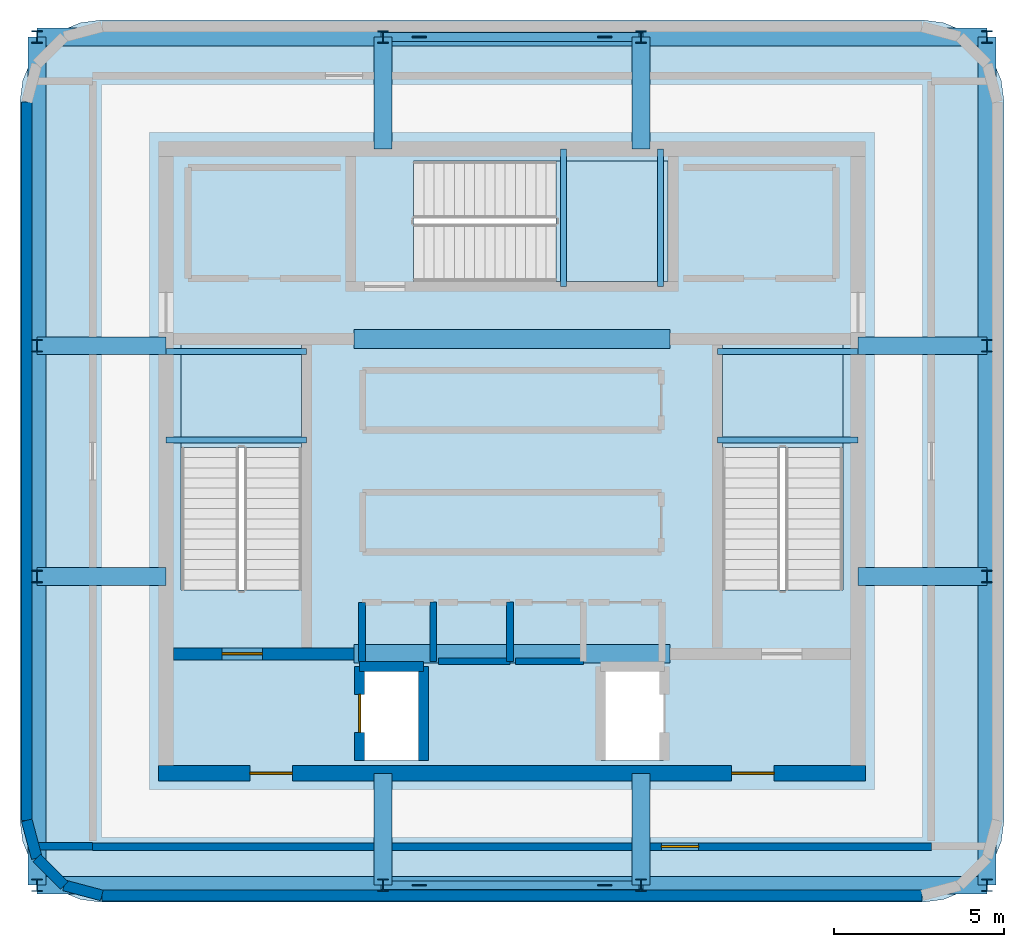
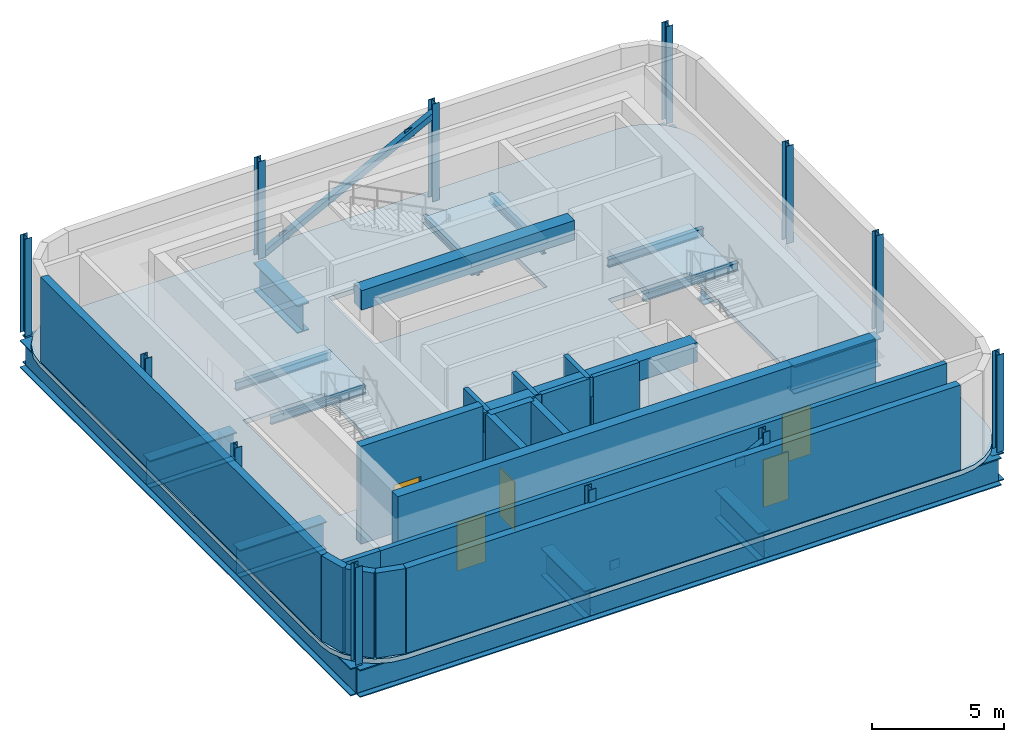
# One storey, part 1 of 4: 20 beams, 17 walls, 12 columns, 5 doors, 4 plates, 4 slabs, 2 members, 5 openings, 3 elements without a shape of their own.
"""IFC4 building model written with IfcOpenShell, lengths in metres."""

from ifc_helpers import new_model, si_unit, direction, frame, frame_2d, origin, origin_2d, place, context, subcontext, project, spatial, polyline, rectangle, hollow_rectangle, i_section, outline, extrude, material, layer, layer_set, material_profile, profile_set, type_object, element, fill, aggregate, save


model = new_model("IFC4")

# Units and contexts
model_context = context("Model", 3, precision=1e-05, world=origin(), true_north=direction((0.0, 1.0)))
body_context = subcontext(model_context, "Body", "Model", "MODEL_VIEW")
ifc_project = project(units=[si_unit("LENGTHUNIT", "METRE"), si_unit("AREAUNIT", "SQUARE_METRE"), si_unit("VOLUMEUNIT", "CUBIC_METRE"), si_unit("PLANEANGLEUNIT", "RADIAN"), si_unit("MASSUNIT", "GRAM", prefix="KILO")], contexts=[model_context])

# Site, building, storey
site_placement = place(None, origin())
site = spatial("IfcSite", under=ifc_project, at=site_placement, CompositionType="ELEMENT")
building_placement = place(site_placement, origin())
building = spatial("IfcBuilding", under=site, at=building_placement, Name="Punatoya Terracotta Tower", CompositionType="ELEMENT")
storey_placement = place(building_placement, frame((0.0, 0.0, 366.300048828125)))
storey = spatial("IfcBuildingStorey", under=building, at=storey_placement, Name="L86", CompositionType="ELEMENT", Elevation=366.300048828125)

# Columns
ifc_material_1 = material(Name="Steel S355", Category="steel")
ifc_material_profile_1 = material_profile(ifc_material_1, i_section(OverallWidth=0.300048828125, OverallDepth=0.360107421875, WebThickness=0.012451171875, FlangeThickness=0.0224609375, FilletRadius=0.01806640625, at=origin_2d()))
ifc_profile_set_1 = profile_set([ifc_material_profile_1], Name="Steel S355")
column_type = type_object("IfcColumnType", Name="COL-CR-2", PredefinedType="COLUMN", material=ifc_profile_set_1)
for number, where, z_axis, x_axis, name in (
    (1, (-3.800048828125, -12.5, 0.0), (0.0, 0.0, 1.0), (1.0, 0.0, 0.0), "L86 Baradari Crown Column CS1"),
    (2, (3.800048828125, -12.5, 0.0), (0.0, 0.0, 1.0), (1.0, 0.0, 0.0), "L86 Baradari Crown Column CS2"),
    (3, (-3.800048828125, 12.5, 0.0), (0.0, 0.0, 1.0), (1.0, 0.0, 0.0), "L86 Baradari Crown Column CN1"),
    (4, (3.800048828125, 12.5, 0.0), (0.0, 0.0, 1.0), (1.0, 0.0, 0.0), "L86 Baradari Crown Column CN2"),
    (5, (-14.0, -3.39990234375, 0.0), (0.0, 0.0, 1.0), (1.0, 0.0, 0.0), "L86 Baradari Crown Column CW1"),
    (6, (-14.0, 3.39990234375, 0.0), (0.0, 0.0, 1.0), (1.0, 0.0, 0.0), "L86 Baradari Crown Column CW2"),
    (7, (14.0, -3.39990234375, 0.0), (0.0, 0.0, 1.0), (1.0, 0.0, 0.0), "L86 Baradari Crown Column CE1"),
    (8, (14.0, 3.39990234375, 0.0), (0.0, 0.0, 1.0), (1.0, 0.0, 0.0), "L86 Baradari Crown Column CE2"),
    (9, (-14.0, -12.5, 0.0), (0.0, 0.0, 1.0), (1.0, 0.0, 0.0), "L86 Baradari Crown Column CRN1"),
    (10, (14.0, -12.5, 0.0), (0.0, 0.0, 1.0), (1.0, 0.0, 0.0), "L86 Baradari Crown Column CRN2"),
    (11, (14.0, 12.5, 0.0), (0.0, 0.0, 1.0), (1.0, 0.0, 0.0), "L86 Baradari Crown Column CRN3"),
    (12, (-14.0, 12.5, 0.0), (0.0, 0.0, 1.0), (1.0, 0.0, 0.0), "L86 Baradari Crown Column CRN4"),
):
    element("IfcColumn", number, at=place(storey_placement, frame(where, z_axis=z_axis, x_axis=x_axis)), inside=storey, type_object=column_type, Name=name, PredefinedType="COLUMN", context=body_context, shape_type="SweptSolid", body=[
        extrude(i_section(OverallWidth=0.300048828125, OverallDepth=0.360107421875, WebThickness=0.012451171875, FlangeThickness=0.0224609375, FilletRadius=0.01806640625, at=origin_2d()), origin(), (0.0, 0.0, 1.0), 4.498046875),
    ])

# Beams
ifc_material_2 = material(Name="Concrete C50/60", Category="concrete")
ifc_material_profile_2 = material_profile(ifc_material_2, rectangle(XDim=0.550048828125, YDim=0.89990234375, at=origin_2d()))
ifc_profile_set_2 = profile_set([ifc_material_profile_2], Name="Concrete C50/60")
beam_type_1 = type_object("IfcBeamType", Name="BM-RC-900", PredefinedType="LINTEL", material=ifc_profile_set_2)
for number, where, z_axis, x_axis, name in (
    (13, (-4.64990234375, -5.679931640625, 3.800048828125), (1.0, 0.0, 0.0), (0.0, 1.0, 0.0), "L86 Core Coupling Lintel CSW"),
    (14, (-4.64990234375, 3.60009765625, 3.800048828125), (1.0, 0.0, 0.0), (0.0, 1.0, 0.0), "L86 Core Coupling Lintel CNW"),
):
    element("IfcBeam", number, at=place(storey_placement, frame(where, z_axis=z_axis, x_axis=x_axis)), inside=storey, type_object=beam_type_1, Name=name, PredefinedType="LINTEL", context=body_context, shape_type="SweptSolid", body=[
        extrude(rectangle(XDim=0.550048828125, YDim=0.89990234375, at=origin_2d()), origin(), (0.0, 0.0, 1.0), 9.2998046875),
    ])
ifc_material_profile_3 = material_profile(ifc_material_1, i_section(OverallWidth=0.169921875, OverallDepth=0.360107421875, WebThickness=0.008056640625, FlangeThickness=0.0126953125, FilletRadius=0.01806640625, at=origin_2d()))
ifc_profile_set_3 = profile_set([ifc_material_profile_3], Name="Steel S355")
beam_type_2 = type_object("IfcBeamType", Name="BM-SEC-360", PredefinedType="JOIST", material=ifc_profile_set_3)
for number, where, z_axis, x_axis, name in (
    (15, (-10.199951171875, 0.6201171875, 1.869873046875), (1.0, 0.0, 0.0), (0.0, 1.0, 0.0), "BM-L86-ST-1-LD1A"),
    (16, (-10.199951171875, 3.22998046875, 1.869873046875), (1.0, 0.0, 0.0), (0.0, 1.0, 0.0), "BM-L86-ST-1-LD1B"),
    (17, (6.050048828125, 0.6201171875, 1.869873046875), (1.0, 0.0, 0.0), (0.0, 1.0, 0.0), "BM-L86-ST-2-LD1A"),
    (18, (6.050048828125, 3.22998046875, 1.869873046875), (1.0, 0.0, 0.0), (0.0, 1.0, 0.0), "BM-L86-ST-2-LD1B"),
):
    element("IfcBeam", number, at=place(storey_placement, frame(where, z_axis=z_axis, x_axis=x_axis)), inside=storey, type_object=beam_type_2, Name=name, PredefinedType="JOIST", context=body_context, shape_type="SweptSolid", body=[
        extrude(i_section(OverallWidth=0.169921875, OverallDepth=0.360107421875, WebThickness=0.008056640625, FlangeThickness=0.0126953125, FilletRadius=0.01806640625, at=origin_2d()), origin(), (0.0, 0.0, 1.0), 4.14990234375),
    ])
for number, where, z_axis, x_axis, name in (
    (19, (1.52001953125, 5.14990234375, 1.869873046875), (0.0, 1.0, 0.0), (-1.0, 0.0, 0.0), "BM-L86-ST-3-LD1A"),
    (20, (4.3798828125, 5.14990234375, 1.869873046875), (0.0, 1.0, 0.0), (-1.0, 0.0, 0.0), "BM-L86-ST-3-LD1B"),
):
    element("IfcBeam", number, at=place(storey_placement, frame(where, z_axis=z_axis, x_axis=x_axis)), inside=storey, type_object=beam_type_2, Name=name, PredefinedType="JOIST", context=body_context, shape_type="SweptSolid", body=[
        extrude(i_section(OverallWidth=0.169921875, OverallDepth=0.360107421875, WebThickness=0.008056640625, FlangeThickness=0.0126953125, FilletRadius=0.01806640625, at=origin_2d()), origin(), (0.0, 0.0, 1.0), 4.050048828125),
    ])
ifc_material_3 = material(Name="Steel S460", Category="steel")
ifc_material_profile_4 = material_profile(ifc_material_3, i_section(OverallWidth=0.52001953125, OverallDepth=1.280029296875, WebThickness=0.031982421875, FlangeThickness=0.050048828125, FilletRadius=0.01806640625, at=origin_2d()))
ifc_profile_set_4 = profile_set([ifc_material_profile_4], Name="Steel S460")
beam_type_3 = type_object("IfcBeamType", Name="BM-TG-NCK", PredefinedType="BEAM", material=ifc_profile_set_4)
for number, where, z_axis, x_axis, name in (
    (21, (-3.800048828125, -12.5, -0.860107421875), (0.0, 1.0, 0.0), (-1.0, 0.0, 0.0), "BM-L86-CS1"),
    (22, (3.800048828125, -12.5, -0.860107421875), (0.0, 1.0, 0.0), (-1.0, 0.0, 0.0), "BM-L86-CS2"),
    (23, (-3.800048828125, 9.199951171875, -0.860107421875), (0.0, 1.0, 0.0), (-1.0, 0.0, 0.0), "BM-L86-CN1"),
    (24, (3.800048828125, 9.199951171875, -0.860107421875), (0.0, 1.0, 0.0), (-1.0, 0.0, 0.0), "BM-L86-CN2"),
):
    element("IfcBeam", number, at=place(storey_placement, frame(where, z_axis=z_axis, x_axis=x_axis)), inside=storey, type_object=beam_type_3, Name=name, PredefinedType="BEAM", context=body_context, shape_type="SweptSolid", body=[
        extrude(i_section(OverallWidth=0.52001953125, OverallDepth=1.280029296875, WebThickness=0.031982421875, FlangeThickness=0.050048828125, FilletRadius=0.01806640625, at=origin_2d()), origin(), (0.0, 0.0, 1.0), 3.300048828125),
    ])
for number, where, z_axis, x_axis, name in (
    (25, (-14.0, -3.39990234375, -0.860107421875), (1.0, 0.0, 0.0), (0.0, 1.0, 0.0), "BM-L86-CW1"),
    (26, (-14.0, 3.39990234375, -0.860107421875), (1.0, 0.0, 0.0), (0.0, 1.0, 0.0), "BM-L86-CW2"),
    (27, (10.199951171875, -3.39990234375, -0.860107421875), (1.0, 0.0, 0.0), (0.0, 1.0, 0.0), "BM-L86-CE1"),
    (28, (10.199951171875, 3.39990234375, -0.860107421875), (1.0, 0.0, 0.0), (0.0, 1.0, 0.0), "BM-L86-CE2"),
):
    element("IfcBeam", number, at=place(storey_placement, frame(where, z_axis=z_axis, x_axis=x_axis)), inside=storey, type_object=beam_type_3, Name=name, PredefinedType="BEAM", context=body_context, shape_type="SweptSolid", body=[
        extrude(i_section(OverallWidth=0.52001953125, OverallDepth=1.280029296875, WebThickness=0.031982421875, FlangeThickness=0.050048828125, FilletRadius=0.01806640625, at=origin_2d()), origin(), (0.0, 0.0, 1.0), 3.800048828125),
    ])
for number, where, z_axis, x_axis, name in (
    (29, (-14.0, -12.5, -0.860107421875), (1.0, 0.0, 0.0), (0.0, 1.0, 0.0), "BM-L86-RS"),
    (30, (-14.0, 12.5, -0.860107421875), (1.0, 0.0, 0.0), (0.0, 1.0, 0.0), "BM-L86-RN"),
):
    element("IfcBeam", number, at=place(storey_placement, frame(where, z_axis=z_axis, x_axis=x_axis)), inside=storey, type_object=beam_type_3, Name=name, PredefinedType="BEAM", context=body_context, shape_type="SweptSolid", body=[
        extrude(i_section(OverallWidth=0.52001953125, OverallDepth=1.280029296875, WebThickness=0.031982421875, FlangeThickness=0.050048828125, FilletRadius=0.01806640625, at=origin_2d()), origin(), (0.0, 0.0, 1.0), 28.0),
    ])
for number, where, z_axis, x_axis, name in (
    (31, (-14.0, -12.5, -0.860107421875), (0.0, 1.0, 0.0), (-1.0, 0.0, 0.0), "BM-L86-RW"),
    (32, (14.0, -12.5, -0.860107421875), (0.0, 1.0, 0.0), (-1.0, 0.0, 0.0), "BM-L86-RE"),
):
    element("IfcBeam", number, at=place(storey_placement, frame(where, z_axis=z_axis, x_axis=x_axis)), inside=storey, type_object=beam_type_3, Name=name, PredefinedType="BEAM", context=body_context, shape_type="SweptSolid", body=[
        extrude(i_section(OverallWidth=0.52001953125, OverallDepth=1.280029296875, WebThickness=0.031982421875, FlangeThickness=0.050048828125, FilletRadius=0.01806640625, at=origin_2d()), origin(), (0.0, 0.0, 1.0), 25.0),
    ])

# Members
ifc_material_profile_5 = material_profile(ifc_material_1, hollow_rectangle(XDim=0.260009765625, YDim=0.260009765625, WallThickness=0.013916015625, at=origin_2d()))
ifc_profile_set_5 = profile_set([ifc_material_profile_5], Name="Steel S355")
member_type = type_object("IfcMemberType", Name="MEM-CRN-260", PredefinedType="BRACE", material=ifc_profile_set_5)
for number, where, z_axis, x_axis, name in (
    (33, (-3.800048828125, -12.5, 0.02001953125), (0.888272644274, 0.0, 0.459316567777), (0.0, 1.0, 0.0), "L86 Crown Frame Wind Brace S"),
    (34, (-3.800048828125, 12.5, 0.02001953125), (0.888272644274, 0.0, 0.459316567777), (0.0, 1.0, 0.0), "L86 Crown Frame Wind Brace N"),
):
    element("IfcMember", number, at=place(storey_placement, frame(where, z_axis=z_axis, x_axis=x_axis)), inside=storey, type_object=member_type, Name=name, PredefinedType="BRACE", context=body_context, shape_type="SweptSolid", body=[
        extrude(hollow_rectangle(XDim=0.260009765625, YDim=0.260009765625, WallThickness=0.013916015625, at=origin_2d()), origin(), (0.0, 0.0, 1.0), 8.55615234375),
    ])

# Plates
ifc_layer_1 = layer(ifc_material_3, 0.031982421875)
ifc_layer_set_1 = layer_set([ifc_layer_1], Name="Steel S460")
plate_type = type_object("IfcPlateType", Name="PLT-END-32", PredefinedType="USERDEFINED", material=ifc_layer_set_1)
for number, where, z_axis, x_axis, name in (
    (35, (-2.736083984375, -12.5, 0.360107421875), (0.0, 0.0, 1.0), (1.0, 0.0, 0.0), "L86 Crown Brace S End Plate 1"),
    (36, (2.736083984375, -12.5, 3.189697265625), (0.0, 0.0, 1.0), (1.0, 0.0, 0.0), "L86 Crown Brace S End Plate 2"),
    (37, (-2.736083984375, 12.5, 0.360107421875), (0.0, 0.0, 1.0), (1.0, 0.0, 0.0), "L86 Crown Brace N End Plate 1"),
    (38, (2.736083984375, 12.5, 3.189697265625), (0.0, 0.0, 1.0), (1.0, 0.0, 0.0), "L86 Crown Brace N End Plate 2"),
):
    element("IfcPlate", number, at=place(storey_placement, frame(where, z_axis=z_axis, x_axis=x_axis)), inside=storey, type_object=plate_type, Name=name, ObjectType="FLANGE_PLATE", PredefinedType="USERDEFINED", context=body_context, shape_type="SweptSolid", body=[
        extrude(rectangle(XDim=0.419921875, YDim=0.031982421875, at=origin_2d()), origin(), (0.0, 0.0, 1.0), 0.419921875),
    ])

# Stair, slab
ifc_material_4 = material(Name="Concrete C40/50", Category="concrete")
stair_type_1 = type_object("IfcStairType", Name="STR-TER-1450", PredefinedType="HALF_TURN_STAIR", material=ifc_material_4)
stair_1_placement = place(storey_placement, origin())
stair_1 = element("IfcStair", 39, at=stair_1_placement, inside=storey, type_object=stair_type_1, Name="L86 Protected Core Exit Stair ST-3", PredefinedType="HALF_TURN_STAIR")
ifc_layer_2 = layer(ifc_material_4, 0.1650390625)
ifc_layer_set_2 = layer_set([ifc_layer_2], Name="Concrete C40/50")
slab_type_1 = type_object("IfcSlabType", Name="SLB-LND-165", PredefinedType="LANDING", material=ifc_layer_set_2)
slab_1_placement = place(storey_placement, frame((0.0, 0.0, 2.050048828125)))
slab_1 = element("IfcSlab", 40, at=slab_1_placement, type_object=slab_type_1, Name="ST-3 landing 1", PredefinedType="LANDING", context=body_context, shape_type="SweptSolid", body=[
    extrude(outline(polyline([(1.300048828125, 5.300048828125), (4.60009765625, 5.300048828125), (4.60009765625, 8.85009765625), (1.300048828125, 8.85009765625), (1.300048828125, 5.300048828125)])), origin(), (0.0, 0.0, 1.0), 0.199951171875),
])
aggregate(stair_1, [slab_1])

stair_type_2 = type_object("IfcStairType", Name="STR-CORE-1550", PredefinedType="HALF_TURN_STAIR", material=ifc_material_4)
stair_2_placement = place(storey_placement, origin())
stair_2 = element("IfcStair", 41, at=stair_2_placement, inside=storey, type_object=stair_type_2, Name="L86 Protected Core Exit Stair ST-1", PredefinedType="HALF_TURN_STAIR")
ifc_layer_3 = layer(ifc_material_4, 0.179931640625)
ifc_layer_set_3 = layer_set([ifc_layer_3], Name="Concrete C40/50")
slab_type_2 = type_object("IfcSlabType", Name="SLB-LND-180", PredefinedType="LANDING", material=ifc_layer_set_3)
slab_2_placement = place(storey_placement, frame((0.0, 0.0, 2.050048828125)))
slab_2 = element("IfcSlab", 42, at=slab_2_placement, type_object=slab_type_2, Name="ST-1 landing 1", PredefinedType="LANDING", context=body_context, shape_type="SweptSolid", body=[
    extrude(outline(polyline([(-6.199951171875, 0.39990234375), (-6.199951171875, 3.449951171875), (-9.75, 3.449951171875), (-9.75, 0.39990234375), (-6.199951171875, 0.39990234375)])), origin(), (0.0, 0.0, 1.0), 0.199951171875),
])
aggregate(stair_2, [slab_2])

stair_type_3 = type_object("IfcStairType", Name="STR-LOB-1650", PredefinedType="HALF_TURN_STAIR", material=ifc_material_4)
stair_3_placement = place(storey_placement, origin())
stair_3 = element("IfcStair", 43, at=stair_3_placement, inside=storey, type_object=stair_type_3, Name="L86 Protected Core Exit Stair ST-2", PredefinedType="HALF_TURN_STAIR")
slab_3_placement = place(storey_placement, frame((0.0, 0.0, 2.050048828125)))
slab_3 = element("IfcSlab", 44, at=slab_3_placement, type_object=slab_type_2, Name="ST-2 landing 1", PredefinedType="LANDING", context=body_context, shape_type="SweptSolid", body=[
    extrude(outline(polyline([(9.75, 0.39990234375), (9.75, 3.449951171875), (6.199951171875, 3.449951171875), (6.199951171875, 0.39990234375), (9.75, 0.39990234375)])), origin(), (0.0, 0.0, 1.0), 0.199951171875),
])
aggregate(stair_3, [slab_3])

# Slab
ifc_layer_4 = layer(ifc_material_4, 0.219970703125)
ifc_layer_set_4 = layer_set([ifc_layer_4], Name="Concrete C40/50")
slab_type_3 = type_object("IfcSlabType", Name="SLB-OFF-220", PredefinedType="FLOOR", material=ifc_layer_set_4)
slab_4_placement = place(storey_placement, frame((0.0, 0.0, -0.219970703125)))
element("IfcSlab", 45, at=slab_4_placement, inside=storey, type_object=slab_type_3, Name="L86 Structural Floor Slab", PredefinedType="FLOOR", context=body_context, shape_type="SweptSolid", body=[
    extrude(outline(polyline([(-12.10009765625, -13.0), (-12.72119140625, -12.918212890625), (-13.300048828125, -12.678466796875), (-13.797119140625, -12.297119140625), (-14.178466796875, -11.800048828125), (-14.418212890625, -11.22119140625), (-14.5, -10.60009765625), (-14.5, 10.60009765625), (-14.418212890625, 11.22119140625), (-14.178466796875, 11.800048828125), (-13.797119140625, 12.297119140625), (-13.300048828125, 12.678466796875), (-12.72119140625, 12.918212890625), (-12.10009765625, 13.0), (12.10009765625, 13.0), (12.72119140625, 12.918212890625), (13.300048828125, 12.678466796875), (13.797119140625, 12.297119140625), (14.178466796875, 11.800048828125), (14.418212890625, 11.22119140625), (14.5, 10.60009765625), (14.5, -10.60009765625), (14.418212890625, -11.22119140625), (14.178466796875, -11.800048828125), (13.797119140625, -12.297119140625), (13.300048828125, -12.678466796875), (12.72119140625, -12.918212890625), (12.10009765625, -13.0), (-12.10009765625, -13.0)]), holes=[polyline([(-4.469970703125, -6.179931640625), (-4.469970703125, -8.820068359375), (-2.6298828125, -8.820068359375), (-2.6298828125, -6.179931640625), (-4.469970703125, -6.179931640625)]), polyline([(2.6298828125, -6.179931640625), (2.6298828125, -8.820068359375), (4.469970703125, -8.820068359375), (4.469970703125, -6.179931640625), (2.6298828125, -6.179931640625)]), polyline([(-9.75, -3.79931640625), (-6.199951171875, -3.79931640625), (-6.199951171875, 3.449951171875), (-9.75, 3.449951171875), (-9.75, -3.79931640625)]), polyline([(6.199951171875, 3.449951171875), (6.199951171875, -3.79931640625), (9.75, -3.79931640625), (9.75, 3.449951171875), (6.199951171875, 3.449951171875)]), polyline([(4.60009765625, 8.85009765625), (-2.899169921875, 8.85009765625), (-2.899169921875, 5.300048828125), (4.60009765625, 5.300048828125), (4.60009765625, 8.85009765625)])]), origin(), (0.0, 0.0, 1.0), 0.219970703125),
])

# Wall, openings, doors
ifc_layer_5 = layer(ifc_material_2, 0.449951171875)
ifc_layer_set_5 = layer_set([ifc_layer_5], Name="Concrete C50/60")
wall_type_1 = type_object("IfcWallType", Name="WL-COR-450", PredefinedType="SHEAR", material=ifc_layer_set_5)
wall_1_placement = place(storey_placement, frame((10.425048828125, -9.199951171875, 0.0), z_axis=(0.0, 0.0, 1.0), x_axis=(-1.0, 0.0, 0.0)))
wall_1 = element("IfcWall", 46, at=wall_1_placement, inside=storey, type_object=wall_type_1, Name="L86 Core Shear Wall S", PredefinedType="SHEAR", context=body_context, shape_type="SweptSolid", body=[
    extrude(rectangle(XDim=20.85009765625, YDim=0.449951171875, at=frame_2d((10.425048828125, 0.0))), origin(), (0.0, 0.0, 1.0), 4.5),
])
opening_1_placement = place(wall_1_placement, frame((2.699951171875, 0.0, 0.0)))
opening_1 = element("IfcOpeningElement", 47, at=opening_1_placement, cuts=wall_1, Name="Opening FD-L1", PredefinedType="OPENING", context=body_context, shape_type="SweptSolid", body=[
    extrude(rectangle(XDim=1.25, YDim=2.25, at=frame_2d((0.625, 1.125))), frame((0.0, 0.23486328125, 0.0), z_axis=(0.0, -1.0, 0.0), x_axis=(1.0, 0.0, 0.0)), (0.0, 0.0, 1.0), 0.469970703125),
])
opening_2_placement = place(wall_1_placement, frame((16.89990234375, 0.0, 0.0)))
opening_2 = element("IfcOpeningElement", 48, at=opening_2_placement, cuts=wall_1, Name="Opening FD-L1", PredefinedType="OPENING", context=body_context, shape_type="SweptSolid", body=[
    extrude(rectangle(XDim=1.25, YDim=2.25, at=frame_2d((0.625, 1.125))), frame((0.0, 0.23486328125, 0.0), z_axis=(0.0, -1.0, 0.0), x_axis=(1.0, 0.0, 0.0)), (0.0, 0.0, 1.0), 0.469970703125),
])
ifc_material_5 = material(Name="Galvanised Steel Smokeproof Fire Door", Category="steel")
door_type_1 = type_object("IfcDoorType", Name="DR-FFL-1250", OperationType="NOTDEFINED", PredefinedType="DOOR", material=ifc_material_5)
door_1_placement = place(opening_1_placement, origin())
door_1 = element("IfcDoor", 49, at=door_1_placement, inside=storey, type_object=door_type_1, Name="L86 East Firefighting Lobby Corridor Fire Door", OperationType="SINGLE_SWING_LEFT", OverallHeight=2.25, OverallWidth=1.25, PredefinedType="DOOR", context=body_context, shape_type="SweptSolid", body=[
    extrude(rectangle(XDim=1.25, YDim=2.25, at=frame_2d((0.625, 1.125))), frame((0.0, 0.02490234375, 0.0), z_axis=(0.0, -1.0, 0.0), x_axis=(1.0, 0.0, 0.0)), (0.0, 0.0, 1.0), 0.050048828125),
])
fill(opening_1, door_1)
door_2_placement = place(opening_2_placement, origin())
door_2 = element("IfcDoor", 50, at=door_2_placement, inside=storey, type_object=door_type_1, Name="L86 West Firefighting Lobby Corridor Fire Door", OperationType="SINGLE_SWING_RIGHT", OverallHeight=2.25, OverallWidth=1.25, PredefinedType="DOOR", context=body_context, shape_type="SweptSolid", body=[
    extrude(rectangle(XDim=1.25, YDim=2.25, at=frame_2d((0.625, 1.125))), frame((0.0, 0.02490234375, 0.0), z_axis=(0.0, -1.0, 0.0), x_axis=(1.0, 0.0, 0.0)), (0.0, 0.0, 1.0), 0.050048828125),
])
fill(opening_2, door_2)

# Walls
ifc_material_6 = material(Name="Precast concrete C40/50", Category="concrete")
ifc_layer_6 = layer(ifc_material_6, 0.320068359375)
ifc_layer_set_6 = layer_set([ifc_layer_6], Name="Precast concrete C40/50")
wall_type_2 = type_object("IfcWallType", Name="WL-EXT-320", PredefinedType="SOLIDWALL", material=ifc_layer_set_6)
wall_2_placement = place(storey_placement, frame((-12.0869140625, -12.800048828125, 0.0), z_axis=(0.0, 0.0, 1.0), x_axis=(1.0, 0.0, 0.0)))
element("IfcWall", 51, at=wall_2_placement, inside=storey, type_object=wall_type_2, Name="L86 Terracotta Louvre Plant Enclosure S", PredefinedType="SOLIDWALL", context=body_context, shape_type="SweptSolid", body=[
    extrude(rectangle(XDim=24.173828125, YDim=0.320068359375, at=frame_2d((12.0869140625, 0.0))), origin(), (0.0, 0.0, 1.0), 3.924072265625),
])
wall_3_placement = place(storey_placement, frame((-14.300048828125, 10.5869140625, 0.0), z_axis=(0.0, 0.0, 1.0), x_axis=(0.0, -1.0, 0.0)))
element("IfcWall", 52, at=wall_3_placement, inside=storey, type_object=wall_type_2, Name="L86 Terracotta Louvre Plant Enclosure W", PredefinedType="SOLIDWALL", context=body_context, shape_type="SweptSolid", body=[
    extrude(rectangle(XDim=21.173828125, YDim=0.320068359375, at=frame_2d((10.5869140625, 0.0))), origin(), (0.0, 0.0, 1.0), 3.924072265625),
])
wall_4_placement = place(storey_placement, frame((-14.300048828125, -10.5869140625, 0.0), z_axis=(0.0, 0.0, 1.0), x_axis=(0.25727979053, -0.966336954372, 0.0)))
element("IfcWall", 53, at=wall_4_placement, inside=storey, type_object=wall_type_2, Name="L86 Rounded Terracotta Corner Pier 14", PredefinedType="SOLIDWALL", context=body_context, shape_type="SweptSolid", body=[
    extrude(rectangle(XDim=1.151123046875, YDim=0.320068359375, at=frame_2d((0.57568359375, 0.0))), origin(), (0.0, 0.0, 1.0), 3.924072265625),
])
wall_5_placement = place(storey_placement, frame((-14.00390625, -11.69921875, 0.0), z_axis=(0.0, 0.0, 1.0), x_axis=(0.707106781187, -0.707106781187, 0.0)))
element("IfcWall", 54, at=wall_5_placement, inside=storey, type_object=wall_type_2, Name="L86 Rounded Terracotta Corner Pier 15", PredefinedType="SOLIDWALL", context=body_context, shape_type="SweptSolid", body=[
    extrude(rectangle(XDim=1.137939453125, YDim=0.320068359375, at=frame_2d((0.56884765625, 0.0))), origin(), (0.0, 0.0, 1.0), 3.924072265625),
])
wall_6_placement = place(storey_placement, frame((-13.19921875, -12.50390625, 0.0), z_axis=(0.0, 0.0, 1.0), x_axis=(0.966336954372, -0.25727979053, 0.0)))
element("IfcWall", 55, at=wall_6_placement, inside=storey, type_object=wall_type_2, Name="L86 Rounded Terracotta Corner Pier 16", PredefinedType="SOLIDWALL", context=body_context, shape_type="SweptSolid", body=[
    extrude(rectangle(XDim=1.151123046875, YDim=0.320068359375, at=frame_2d((0.57568359375, 0.0))), origin(), (0.0, 0.0, 1.0), 3.924072265625),
])
ifc_layer_7 = layer(ifc_material_4, 0.219970703125)
ifc_layer_set_7 = layer_set([ifc_layer_7], Name="Concrete C40/50")
wall_type_3 = type_object("IfcWallType", Name="WL-FIR-220", PredefinedType="SOLIDWALL", material=ifc_layer_set_7)
wall_7_placement = place(storey_placement, frame((-14.126708984375, -11.35009765625, 0.0), z_axis=(0.0, 0.0, 1.0), x_axis=(1.0, 0.0, 0.0)))
element("IfcWall", 56, at=wall_7_placement, inside=storey, type_object=wall_type_3, Name="L86 Crown South Heat-Rejection and Cooling-Tower Plant Partition 26", PredefinedType="SOLIDWALL", context=body_context, shape_type="SweptSolid", body=[
    extrude(rectangle(XDim=1.7666015625, YDim=0.219970703125, at=frame_2d((0.88330078125, 0.0))), origin(), (0.0, 0.0, 1.0), 3.924072265625),
])

# Wall, opening, door
wall_8_placement = place(storey_placement, frame((-12.360107421875, -11.360107421875, 0.0), z_axis=(0.0, 0.0, 1.0), x_axis=(1.0, 0.0, 0.0)))
wall_8 = element("IfcWall", 57, at=wall_8_placement, inside=storey, type_object=wall_type_3, Name="L86 Crown South Heat-Rejection and Cooling-Tower Plant Partition 27", PredefinedType="SOLIDWALL", context=body_context, shape_type="SweptSolid", body=[
    extrude(rectangle(XDim=24.72021484375, YDim=0.219970703125, at=frame_2d((12.360107421875, 0.0))), origin(), (0.0, 0.0, 1.0), 3.924072265625),
])
opening_3_placement = place(wall_8_placement, frame((16.760009765625, 0.0, 0.0)))
opening_3 = element("IfcOpeningElement", 58, at=opening_3_placement, cuts=wall_8, Name="Opening FD-P1", PredefinedType="OPENING", context=body_context, shape_type="SweptSolid", body=[
    extrude(rectangle(XDim=1.10009765625, YDim=2.199951171875, at=frame_2d((0.550048828125, 1.10009765625))), frame((0.0, 0.119873046875, 0.0), z_axis=(0.0, -1.0, 0.0), x_axis=(1.0, 0.0, 0.0)), (0.0, 0.0, 1.0), 0.239990234375),
])
ifc_material_7 = material(Name="Galvanised Steel Plant Fire Door", Category="steel")
door_type_2 = type_object("IfcDoorType", Name="DR-PLT-1100", OperationType="NOTDEFINED", PredefinedType="DOOR", material=ifc_material_7)
door_3_placement = place(opening_3_placement, origin())
door_3 = element("IfcDoor", 59, at=door_3_placement, inside=storey, type_object=door_type_2, Name="L86 Crown South Heat-Rejection and Cooling-Tower Plant Fire Door", OperationType="SINGLE_SWING_LEFT", OverallHeight=2.199951171875, OverallWidth=1.10009765625, PredefinedType="DOOR", context=body_context, shape_type="SweptSolid", body=[
    extrude(rectangle(XDim=1.10009765625, YDim=2.199951171875, at=frame_2d((0.550048828125, 1.10009765625))), frame((0.0, 0.02490234375, 0.0), z_axis=(0.0, -1.0, 0.0), x_axis=(1.0, 0.0, 0.0)), (0.0, 0.0, 1.0), 0.050048828125),
])
fill(opening_3, door_3)

# Walls
ifc_layer_8 = layer(ifc_material_4, 0.199951171875)
ifc_layer_set_8 = layer_set([ifc_layer_8], Name="Concrete C40/50")
wall_type_4 = type_object("IfcWallType", Name="WL-INT-200", PredefinedType="SOLIDWALL", material=ifc_layer_set_8)
for number, where, z_axis, x_axis, name in (
    (60, (-2.320068359375, -5.89990234375, 0.0), (0.0, 0.0, 1.0), (0.0, 1.0, 0.0), "L86 Staff Male Washroom Partition 01"),
    (61, (-4.419921875, -4.159912109375, 0.0), (0.0, 0.0, 1.0), (0.0, -1.0, 0.0), "L86 Staff Male Washroom Partition 03"),
    (62, (-0.06005859375, -5.89990234375, 0.0), (0.0, 0.0, 1.0), (0.0, 1.0, 0.0), "L86 Staff Female Washroom Partition 04"),
):
    element("IfcWall", number, at=place(storey_placement, frame(where, z_axis=z_axis, x_axis=x_axis)), inside=storey, type_object=wall_type_4, Name=name, PredefinedType="SOLIDWALL", context=body_context, shape_type="SweptSolid", body=[
        extrude(rectangle(XDim=1.739990234375, YDim=0.199951171875, at=frame_2d((0.8701171875, 0.0))), origin(), (0.0, 0.0, 1.0), 4.25),
    ])
wall_9_placement = place(storey_placement, frame((-2.159912109375, -5.89990234375, 0.0), z_axis=(0.0, 0.0, 1.0), x_axis=(1.0, 0.0, 0.0)))
element("IfcWall", 63, at=wall_9_placement, inside=storey, type_object=wall_type_4, Name="L86 Staff Female Washroom Partition 06", PredefinedType="SOLIDWALL", context=body_context, shape_type="SweptSolid", body=[
    extrude(rectangle(XDim=2.099853515625, YDim=0.199951171875, at=frame_2d((1.0498046875, 0.0))), origin(), (0.0, 0.0, 1.0), 4.25),
])
wall_10_placement = place(storey_placement, frame((0.10009765625, -5.89990234375, 0.0), z_axis=(0.0, 0.0, 1.0), x_axis=(1.0, 0.0, 0.0)))
element("IfcWall", 64, at=wall_10_placement, inside=storey, type_object=wall_type_4, Name="L86 Accessible Universal Washroom Partition 09", PredefinedType="SOLIDWALL", context=body_context, shape_type="SweptSolid", body=[
    extrude(rectangle(XDim=2.0, YDim=0.199951171875, at=frame_2d((1.0, 0.0))), origin(), (0.0, 0.0, 1.0), 4.25),
])

# Wall, opening, door
ifc_layer_9 = layer(ifc_material_4, 0.300048828125)
ifc_layer_set_9 = layer_set([ifc_layer_9], Name="Concrete C40/50")
wall_type_5 = type_object("IfcWallType", Name="WL-SHF-300", PredefinedType="SOLIDWALL", material=ifc_layer_set_9)
wall_11_placement = place(storey_placement, frame((-4.489990234375, -8.820068359375, 0.0), z_axis=(0.0, 0.0, 1.0), x_axis=(0.0, 1.0, 0.0)))
wall_11 = element("IfcWall", 65, at=wall_11_placement, inside=storey, type_object=wall_type_5, Name="L86 FFL-1 Front Hoistway Wall", PredefinedType="SOLIDWALL", context=body_context, shape_type="SweptSolid", body=[
    extrude(rectangle(XDim=2.77001953125, YDim=0.300048828125, at=frame_2d((1.385009765625, 0.0))), origin(), (0.0, 0.0, 1.0), 4.25),
])
opening_4_placement = place(wall_11_placement, frame((0.824951171875, 0.0, 0.0)))
opening_4 = element("IfcOpeningElement", 66, at=opening_4_placement, cuts=wall_11, Name="Opening LD-02", PredefinedType="OPENING", context=body_context, shape_type="SweptSolid", body=[
    extrude(rectangle(XDim=1.1201171875, YDim=2.25, at=frame_2d((0.56005859375, 1.125))), frame((0.0, 0.159912109375, 0.0), z_axis=(0.0, -1.0, 0.0), x_axis=(1.0, 0.0, 0.0)), (0.0, 0.0, 1.0), 0.320068359375),
])
ifc_material_8 = material(Name="Stainless Steel Lift Landing Door", Category="steel")
door_type_3 = type_object("IfcDoorType", Name="DR-LND-1120", OperationType="NOTDEFINED", PredefinedType="DOOR", material=ifc_material_8)
door_4_placement = place(opening_4_placement, origin())
door_4 = element("IfcDoor", 67, at=door_4_placement, inside=storey, type_object=door_type_3, Name="L86 Firefighting Lift FFL-1 Sliding Landing Door", OperationType="SLIDING_TO_LEFT", OverallHeight=2.25, OverallWidth=1.1201171875, PredefinedType="DOOR", context=body_context, shape_type="SweptSolid", body=[
    extrude(rectangle(XDim=1.1201171875, YDim=2.25, at=frame_2d((0.56005859375, 1.125))), frame((0.0, 0.02490234375, 0.0), z_axis=(0.0, -1.0, 0.0), x_axis=(1.0, 0.0, 0.0)), (0.0, 0.0, 1.0), 0.050048828125),
])
fill(opening_4, door_4)

# Walls
wall_12_placement = place(storey_placement, frame((-2.610107421875, -8.820068359375, 0.0), z_axis=(0.0, 0.0, 1.0), x_axis=(0.0, 1.0, 0.0)))
element("IfcWall", 68, at=wall_12_placement, inside=storey, type_object=wall_type_5, Name="L86 FFL-1 Rear Hoistway Wall", PredefinedType="SOLIDWALL", context=body_context, shape_type="SweptSolid", body=[
    extrude(rectangle(XDim=2.77001953125, YDim=0.300048828125, at=frame_2d((1.385009765625, 0.0))), origin(), (0.0, 0.0, 1.0), 4.25),
])
wall_13_placement = place(storey_placement, frame((-4.489990234375, -6.050048828125, 0.0), z_axis=(0.0, 0.0, 1.0), x_axis=(1.0, 0.0, 0.0)))
element("IfcWall", 69, at=wall_13_placement, inside=storey, type_object=wall_type_5, Name="L86 FFL-1 North Hoistway Wall", PredefinedType="SOLIDWALL", context=body_context, shape_type="SweptSolid", body=[
    extrude(rectangle(XDim=1.8798828125, YDim=0.300048828125, at=frame_2d((0.93994140625, 0.0))), origin(), (0.0, 0.0, 1.0), 4.25),
])

# Wall, opening, door
ifc_layer_10 = layer(ifc_material_2, 0.35009765625)
ifc_layer_set_10 = layer_set([ifc_layer_10], Name="Concrete C50/60")
wall_type_6 = type_object("IfcWallType", Name="WL-SHF-350", PredefinedType="SOLIDWALL", material=ifc_layer_set_10)
wall_14_placement = place(storey_placement, frame((-9.97509765625, -5.679931640625, 0.0), z_axis=(0.0, 0.0, 1.0), x_axis=(1.0, 0.0, 0.0)))
wall_14 = element("IfcWall", 70, at=wall_14_placement, inside=storey, type_object=wall_type_6, Name="L86 Core Web Wall CSW-L", PredefinedType="SOLIDWALL", context=body_context, shape_type="SweptSolid", body=[
    extrude(rectangle(XDim=5.3251953125, YDim=0.35009765625, at=frame_2d((2.66259765625, 0.0))), origin(), (0.0, 0.0, 1.0), 4.5),
])
opening_5_placement = place(wall_14_placement, frame((1.43505859375, 0.0, 0.0)))
opening_5 = element("IfcOpeningElement", 71, at=opening_5_placement, cuts=wall_14, Name="Opening SD-01", PredefinedType="OPENING", context=body_context, shape_type="SweptSolid", body=[
    extrude(rectangle(XDim=1.179931640625, YDim=2.199951171875, at=frame_2d((0.58984375, 1.10009765625))), frame((0.0, 0.18505859375, 0.0), z_axis=(0.0, -1.0, 0.0), x_axis=(1.0, 0.0, 0.0)), (0.0, 0.0, 1.0), 0.3701171875),
])
ifc_material_9 = material(Name="Galvanised Steel Pressurized Stair Fire Door", Category="steel")
door_type_4 = type_object("IfcDoorType", Name="DR-STR-1180", OperationType="NOTDEFINED", PredefinedType="DOOR", material=ifc_material_9)
door_5_placement = place(opening_5_placement, origin())
door_5 = element("IfcDoor", 72, at=door_5_placement, inside=storey, type_object=door_type_4, Name="L86 Stair ST-1 Smokeproof Lobby Fire Door", OperationType="SINGLE_SWING_LEFT", OverallHeight=2.199951171875, OverallWidth=1.179931640625, PredefinedType="DOOR", context=body_context, shape_type="SweptSolid", body=[
    extrude(rectangle(XDim=1.179931640625, YDim=2.199951171875, at=frame_2d((0.58984375, 1.10009765625))), frame((0.0, 0.02490234375, 0.0), z_axis=(0.0, -1.0, 0.0), x_axis=(1.0, 0.0, 0.0)), (0.0, 0.0, 1.0), 0.050048828125),
])
fill(opening_5, door_5)

save(model, "model.ifc")
